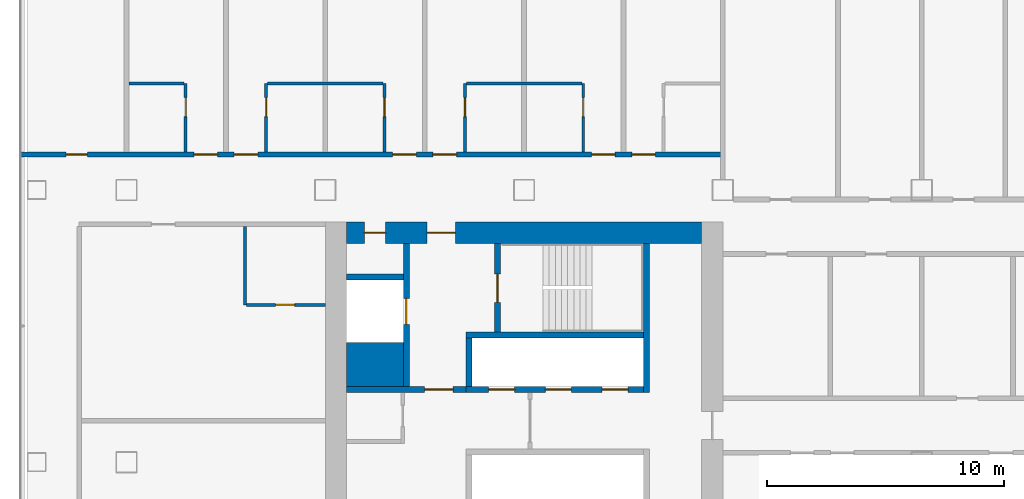
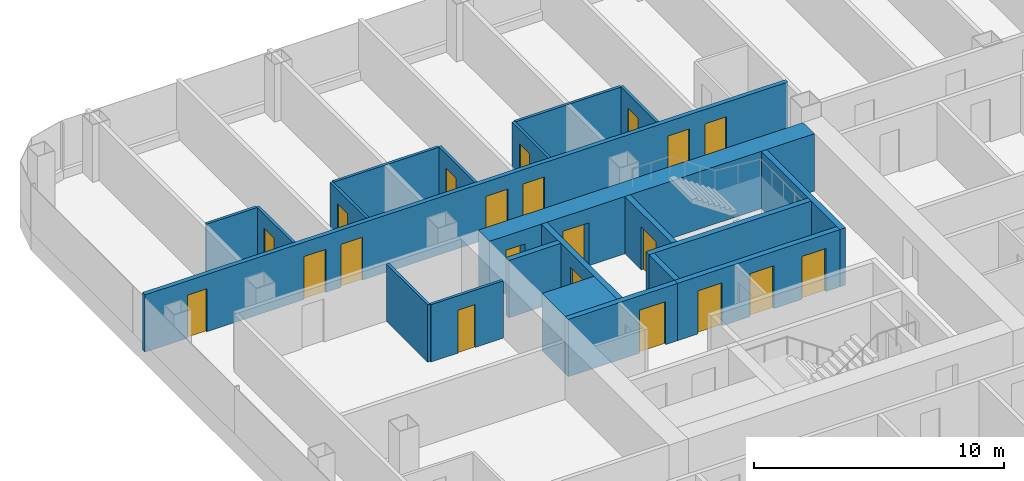
# One storey, part 16 of 29: 21 doors, 21 walls, 21 openings.
"""IFC4 building model written with IfcOpenShell, lengths in metres."""

import ifcopenshell
import ifcopenshell.guid

model = None  # the IFC model being written
_history = None  # IfcOwnerHistory: only IFC2X3 demands one
_inside = {}  # id of a spatial element -> (the spatial element, [elements in it])
_under = {}  # id of a project, library or spatial element -> (it, [spatial elements below it])
_declared = {}  # id of a project -> (the project, [libraries it declares])
_typed = {}  # id of a type object -> (the type object, [elements of that type])
_made_of = {}  # id of a material, layer set ... -> (it, [elements and type objects made of it])


def new_model(schema):
    """Start an empty IFC model of exactly this schema.

    Asked for "IFC4X3", IfcOpenShell would pick the latest addendum, in which some entities
    have other attributes; the version numbers below select the first issue.
    IFC2X3 requires an IfcOwnerHistory on every rooted entity: one is made here for all.
    """
    global model, _history
    if schema == "IFC4X3":
        model = ifcopenshell.file(schema_version=(4, 3, 0, 0))
    else:
        model = ifcopenshell.file(schema=schema)
    _inside.clear()
    _under.clear()
    _declared.clear()
    _typed.clear()
    _made_of.clear()
    _history = None
    if model.schema == "IFC2X3":
        org = make("IfcOrganization", Name="unknown")
        user = make(
            "IfcPersonAndOrganization",
            ThePerson=make("IfcPerson", FamilyName="unknown"),
            TheOrganization=org,
        )
        app = make(
            "IfcApplication",
            ApplicationDeveloper=org,
            Version="unknown",
            ApplicationFullName="unknown",
            ApplicationIdentifier="unknown",
        )
        _history = make(
            "IfcOwnerHistory",
            OwningUser=user,
            OwningApplication=app,
            ChangeAction="ADDED",
            CreationDate=0,
        )
    return model


def make(cls, **values):
    """One entity of the class cls with the attributes given. An attribute that is None is left unset."""
    return model.create_entity(
        cls, **{name: value for name, value in values.items() if value is not None}
    )


def rooted(cls, **values):
    """An entity with a GlobalId (a new one), such as an element, a storey or a relation."""
    return make(cls, GlobalId=ifcopenshell.guid.new(), OwnerHistory=_history, **values)


def si_unit(unit_type, name, prefix=None):
    """IfcSIUnit, for example si_unit("LENGTHUNIT", "METRE", prefix="MILLI")."""
    return make("IfcSIUnit", UnitType=unit_type, Prefix=prefix, Name=name)


def assignment(units):
    """IfcUnitAssignment: the units of a project."""
    return None if units is None else make("IfcUnitAssignment", Units=units)


def point(xyz):
    """IfcCartesianPoint."""
    return None if xyz is None else make("IfcCartesianPoint", Coordinates=xyz)


def direction(xyz):
    """IfcDirection."""
    return None if xyz is None else make("IfcDirection", DirectionRatios=xyz)


def frame(location, z_axis=None, x_axis=None):
    """IfcAxis2Placement3D, a coordinate frame: its origin and axes. An axis left out is left unset."""
    return make(
        "IfcAxis2Placement3D",
        Location=point(location),
        Axis=direction(z_axis),
        RefDirection=direction(x_axis),
    )


def frame_2d(location, x_axis=None):
    """IfcAxis2Placement2D, a coordinate frame in the plane: its origin and x axis."""
    return make(
        "IfcAxis2Placement2D", Location=point(location), RefDirection=direction(x_axis)
    )


def origin():
    """The frame at (0, 0, 0) with its axes left unset."""
    return frame((0.0, 0.0, 0.0))


def place(relative_to, where):
    """IfcLocalPlacement: puts the frame where relative to a parent placement (None: the world)."""
    return make(
        "IfcLocalPlacement", PlacementRelTo=relative_to, RelativePlacement=where
    )


def context(
    kind, dimensions, precision=None, world=None, true_north=None, identifier=None
):
    """IfcGeometricRepresentationContext, for example the 3D "Model" context."""
    return make(
        "IfcGeometricRepresentationContext",
        ContextIdentifier=identifier,
        ContextType=kind,
        CoordinateSpaceDimension=dimensions,
        Precision=precision,
        WorldCoordinateSystem=world,
        TrueNorth=true_north,
    )


def subcontext(parent, identifier, kind, view, scale=None):
    """IfcGeometricRepresentationSubContext, for example "Body" below "Model"."""
    return make(
        "IfcGeometricRepresentationSubContext",
        ContextIdentifier=identifier,
        ContextType=kind,
        ParentContext=parent,
        TargetScale=scale,
        TargetView=view,
    )


def project(units=None, contexts=None):
    """IfcProject with its units and contexts."""
    return rooted(
        "IfcProject",
        Name="project",
        RepresentationContexts=contexts,
        UnitsInContext=assignment(units),
    )


def spatial(cls, under=None, at=None, **own):
    """A site, building, storey or space (cls), placed at a placement, below another one or the project."""
    s = rooted(cls, ObjectPlacement=at, **own)
    if under is not None:
        _under.setdefault(under.id(), (under, []))[1].append(s)
    return s


def profile(cls, at=None, kind="AREA", **sizes):
    """A parametric profile (cls). Its sizes go by their IFC names, for example OverallWidth=200.0."""
    return make(cls, ProfileType=kind, Position=at, **sizes)


def rectangle(**sizes):
    """IfcRectangleProfileDef."""
    return profile("IfcRectangleProfileDef", **sizes)


def extrude(swept, where, along, depth):
    """IfcExtrudedAreaSolid: the profile swept, set in the frame where, extruded along a direction by depth."""
    return make(
        "IfcExtrudedAreaSolid",
        SweptArea=swept,
        Position=where,
        ExtrudedDirection=direction(along),
        Depth=depth,
    )


def shape(context_of_items, identifier, shape_type, items):
    """IfcShapeRepresentation: the items that make up one representation, for example the "Body"."""
    return make(
        "IfcShapeRepresentation",
        ContextOfItems=context_of_items,
        RepresentationIdentifier=identifier,
        RepresentationType=shape_type,
        Items=items,
    )


def material(Name=None, Category=None):
    """IfcMaterial."""
    return make("IfcMaterial", Name=Name, Category=Category)


def layer(
    of_material, thickness, ventilated=None, Name=None, Category=None, Priority=None
):
    """IfcMaterialLayer: one layer of a wall or slab, of a material (None: an air gap)."""
    return make(
        "IfcMaterialLayer",
        Material=of_material,
        LayerThickness=thickness,
        IsVentilated=ventilated,
        Name=Name,
        Category=Category,
        Priority=Priority,
    )


def layer_set(layers, Name=None):
    """IfcMaterialLayerSet."""
    return make("IfcMaterialLayerSet", MaterialLayers=layers, LayerSetName=Name)


def made_of(thing, what):
    """Note that an element or type object is made of a material, layer set ...; save() writes the relation."""
    if what is not None:
        _made_of.setdefault(what.id(), (what, []))[1].append(thing)
    return thing


def type_object(cls, material=None, **own):
    """A type object (cls), such as IfcWallType, which elements share."""
    return made_of(rooted(cls, **own), material)


def element(
    cls,
    number,
    at=None,
    inside=None,
    cuts=None,
    type_object=None,
    material=None,
    context=None,
    identifier="Body",
    shape_type=None,
    held_by="IfcProductDefinitionShape",
    body=None,
    shapes=None,
    **own,
):
    """One element of the class cls, such as IfcWall. Its Tag is "e" and its number.

    at: its placement. inside: the storey or other place that contains it. cuts: it is an
    opening in that element (IfcRelVoidsElement). A single representation is given by context,
    identifier, shape_type and body (its items); several are given by shapes. held_by: the class
    of the entity that holds the representations. save() writes the other relations.
    """
    e = rooted(cls, Tag="e%d" % number, ObjectPlacement=at, **own)
    if body is not None:
        shapes = [shape(context, identifier, shape_type, body)]
    if shapes is not None:
        e.Representation = make(held_by, Representations=shapes)
    if inside is not None:
        _inside.setdefault(inside.id(), (inside, []))[1].append(e)
    if cuts is not None:
        rooted(
            "IfcRelVoidsElement", RelatingBuildingElement=cuts, RelatedOpeningElement=e
        )
    if type_object is not None:
        _typed.setdefault(type_object.id(), (type_object, []))[1].append(e)
    return made_of(e, material)


def fill(opening, filler):
    """IfcRelFillsElement: the door or window that sits in an opening."""
    return rooted(
        "IfcRelFillsElement",
        RelatingOpeningElement=opening,
        RelatedBuildingElement=filler,
    )


def aggregate(whole, parts):
    """IfcRelAggregates: a whole, such as a stair, and the parts it consists of."""
    return rooted("IfcRelAggregates", RelatingObject=whole, RelatedObjects=parts)


def save(model, path):
    """Write the relations noted so far, then the file.

    IfcRelAggregates (storeys below a building ...), IfcRelContainedInSpatialStructure (elements
    in a storey), IfcRelDefinesByType, IfcRelAssociatesMaterial and IfcRelDeclares: one each for
    every whole, place, type object, material and project.
    """
    for whole, parts in _under.values():
        aggregate(whole, parts)
    for where, things in _inside.values():
        rooted(
            "IfcRelContainedInSpatialStructure",
            RelatedElements=things,
            RelatingStructure=where,
        )
    for kind, things in _typed.values():
        rooted("IfcRelDefinesByType", RelatedObjects=things, RelatingType=kind)
    for what, things in _made_of.values():
        rooted("IfcRelAssociatesMaterial", RelatedObjects=things, RelatingMaterial=what)
    for by, libraries in _declared.values():
        rooted("IfcRelDeclares", RelatingContext=by, RelatedDefinitions=libraries)
    model.write(path)


model = new_model("IFC4")

# Units and contexts
model_context = context("Model", 3, precision=1e-05, world=origin(), true_north=direction((0.0, 1.0)))
body_context = subcontext(model_context, "Body", "Model", "MODEL_VIEW")
ifc_project = project(units=[si_unit("LENGTHUNIT", "METRE"), si_unit("AREAUNIT", "SQUARE_METRE"), si_unit("VOLUMEUNIT", "CUBIC_METRE"), si_unit("PLANEANGLEUNIT", "RADIAN"), si_unit("MASSUNIT", "GRAM", prefix="KILO")], contexts=[model_context])

# Site, building, storey
site_placement = place(None, origin())
site = spatial("IfcSite", under=ifc_project, at=site_placement, CompositionType="ELEMENT")
building_placement = place(site_placement, origin())
building = spatial("IfcBuilding", under=site, at=building_placement, Name="Hakoniwa Tower and Hamabe Station Hall", CompositionType="ELEMENT")
storey_placement = place(building_placement, frame((0.0, 0.0, 110.60009765625)))
storey = spatial("IfcBuildingStorey", under=building, at=storey_placement, Name="L31", CompositionType="ELEMENT", Elevation=110.60009765625)

# Wall, opening, door
ifc_material_1 = material(Name="Gypsum board partition", Category="gypsum")
ifc_layer_1 = layer(ifc_material_1, 0.125)
ifc_layer_set_1 = layer_set([ifc_layer_1], Name="Bathroom Partition 125")
wall_type_1 = type_object("IfcWallType", Name="Bathroom Partition 125", PredefinedType="PARTITIONING", material=ifc_layer_set_1)
wall_1_placement = place(storey_placement, frame((-36.9375, 4.89990234375, 0.0), z_axis=(0.0, 0.0, 1.0), x_axis=(1.0, 0.0, 0.0)))
wall_1 = element("IfcWall", 1, at=wall_1_placement, inside=storey, type_object=wall_type_1, Name="GW-L31-016", PredefinedType="PARTITIONING", context=body_context, shape_type="SweptSolid", body=[
    extrude(rectangle(XDim=3.33740234375, YDim=0.125, at=frame_2d((1.668701171875, 0.0))), origin(), (0.0, 0.0, 1.0), 2.7998046875),
])
opening_1_placement = place(wall_1_placement, frame((1.237548828125, 0.0, 0.0)))
opening_1 = element("IfcOpeningElement", 2, at=opening_1_placement, cuts=wall_1, Name="Opening GD-G2B2-30", PredefinedType="OPENING", context=body_context, shape_type="SweptSolid", body=[
    extrude(rectangle(XDim=0.800048828125, YDim=2.10009765625, at=frame_2d((0.39990234375, 1.050048828125))), frame((0.0, 0.072509765625, 0.0), z_axis=(0.0, -1.0, 0.0), x_axis=(1.0, 0.0, 0.0)), (0.0, 0.0, 1.0), 0.14501953125),
])
ifc_material_2 = material(Name="Timber door leaf", Category="wood")
door_type_1 = type_object("IfcDoorType", Name="Bathroom Door 800", OperationType="SINGLE_SWING_LEFT", PredefinedType="DOOR", material=ifc_material_2)
door_1_placement = place(opening_1_placement, origin())
door_1 = element("IfcDoor", 3, at=door_1_placement, inside=storey, type_object=door_type_1, Name="Door GD-G2B2-30", OperationType="SINGLE_SWING_RIGHT", OverallHeight=2.10009765625, OverallWidth=0.800048828125, PredefinedType="DOOR", context=body_context, shape_type="SweptSolid", body=[
    extrude(rectangle(XDim=0.800048828125, YDim=2.10009765625, at=frame_2d((0.39990234375, 1.050048828125))), frame((0.0, 0.02490234375, 0.0), z_axis=(0.0, -1.0, 0.0), x_axis=(1.0, 0.0, 0.0)), (0.0, 0.0, 1.0), 0.050048828125),
])
fill(opening_1, door_1)

# Walls
wall_2_placement = place(storey_placement, frame((-41.89990234375, 14.25, 0.0), z_axis=(0.0, 0.0, 1.0), x_axis=(1.0, 0.0, 0.0)))
element("IfcWall", 4, at=wall_2_placement, inside=storey, type_object=wall_type_1, Name="GW-L31-027", PredefinedType="PARTITIONING", context=body_context, shape_type="SweptSolid", body=[
    extrude(rectangle(XDim=2.33740234375, YDim=0.125, at=frame_2d((1.168701171875, 0.0))), origin(), (0.0, 0.0, 1.0), 2.7998046875),
])
for number, where, z_axis, x_axis, name in (
    (5, (-36.03759765625, 14.25, 0.0), (0.0, 0.0, 1.0), (1.0, 0.0, 0.0), "GW-L31-028"),
    (6, (-27.637451171875, 14.25, 0.0), (0.0, 0.0, 1.0), (1.0, 0.0, 0.0), "GW-L31-029"),
):
    element("IfcWall", number, at=place(storey_placement, frame(where, z_axis=z_axis, x_axis=x_axis)), inside=storey, type_object=wall_type_1, Name=name, PredefinedType="PARTITIONING", context=body_context, shape_type="SweptSolid", body=[
        extrude(rectangle(XDim=4.875, YDim=0.125, at=frame_2d((2.4375, 0.0))), origin(), (0.0, 0.0, 1.0), 2.7998046875),
    ])

# Wall, opening, door
wall_3_placement = place(storey_placement, frame((-39.5, 11.35009765625, 0.0), z_axis=(0.0, 0.0, 1.0), x_axis=(0.0, 1.0, 0.0)))
wall_3 = element("IfcWall", 7, at=wall_3_placement, inside=storey, type_object=wall_type_1, Name="GW-L31-035", PredefinedType="PARTITIONING", context=body_context, shape_type="SweptSolid", body=[
    extrude(rectangle(XDim=2.89990234375, YDim=0.125, at=frame_2d((1.449951171875, 0.0))), origin(), (0.0, 0.0, 1.0), 2.7998046875),
])
opening_2_placement = place(wall_3_placement, frame((1.5, 0.0, 0.0)))
opening_2 = element("IfcOpeningElement", 8, at=opening_2_placement, cuts=wall_3, Name="Opening GD-G2B2-57", PredefinedType="OPENING", context=body_context, shape_type="SweptSolid", body=[
    extrude(rectangle(XDim=0.800048828125, YDim=2.10009765625, at=frame_2d((0.39990234375, 1.050048828125))), frame((0.0, 0.072509765625, 0.0), z_axis=(0.0, -1.0, 0.0), x_axis=(1.0, 0.0, 0.0)), (0.0, 0.0, 1.0), 0.14501953125),
])
door_2_placement = place(opening_2_placement, origin())
door_2 = element("IfcDoor", 9, at=door_2_placement, inside=storey, type_object=door_type_1, Name="Door GD-G2B2-57", OperationType="SINGLE_SWING_LEFT", OverallHeight=2.10009765625, OverallWidth=0.800048828125, PredefinedType="DOOR", context=body_context, shape_type="SweptSolid", body=[
    extrude(rectangle(XDim=0.800048828125, YDim=2.10009765625, at=frame_2d((0.39990234375, 1.050048828125))), frame((0.0, 0.02490234375, 0.0), z_axis=(0.0, -1.0, 0.0), x_axis=(1.0, 0.0, 0.0)), (0.0, 0.0, 1.0), 0.050048828125),
])
fill(opening_2, door_2)

# Wall
wall_4_placement = place(storey_placement, frame((-37.0, 4.89990234375, 0.0), z_axis=(0.0, 0.0, 1.0), x_axis=(0.0, 1.0, 0.0)))
element("IfcWall", 10, at=wall_4_placement, inside=storey, type_object=wall_type_1, Name="GW-L31-037", PredefinedType="PARTITIONING", context=body_context, shape_type="SweptSolid", body=[
    extrude(rectangle(XDim=3.300048828125, YDim=0.125, at=frame_2d((1.64990234375, 0.0))), origin(), (0.0, 0.0, 1.0), 2.7998046875),
])

# Wall, opening, door
wall_5_placement = place(storey_placement, frame((-36.10009765625, 11.35009765625, 0.0), z_axis=(0.0, 0.0, 1.0), x_axis=(0.0, 1.0, 0.0)))
wall_5 = element("IfcWall", 11, at=wall_5_placement, inside=storey, type_object=wall_type_1, Name="GW-L31-038", PredefinedType="PARTITIONING", context=body_context, shape_type="SweptSolid", body=[
    extrude(rectangle(XDim=2.89990234375, YDim=0.125, at=frame_2d((1.449951171875, 0.0))), origin(), (0.0, 0.0, 1.0), 2.7998046875),
])
opening_3_placement = place(wall_5_placement, frame((1.5, 0.0, 0.0)))
opening_3 = element("IfcOpeningElement", 12, at=opening_3_placement, cuts=wall_5, Name="Opening GD-G2B2-58", PredefinedType="OPENING", context=body_context, shape_type="SweptSolid", body=[
    extrude(rectangle(XDim=0.800048828125, YDim=2.10009765625, at=frame_2d((0.39990234375, 1.050048828125))), frame((0.0, 0.072509765625, 0.0), z_axis=(0.0, -1.0, 0.0), x_axis=(1.0, 0.0, 0.0)), (0.0, 0.0, 1.0), 0.14501953125),
])
door_3_placement = place(opening_3_placement, origin())
door_3 = element("IfcDoor", 13, at=door_3_placement, inside=storey, type_object=door_type_1, Name="Door GD-G2B2-58", OperationType="SINGLE_SWING_RIGHT", OverallHeight=2.10009765625, OverallWidth=0.800048828125, PredefinedType="DOOR", context=body_context, shape_type="SweptSolid", body=[
    extrude(rectangle(XDim=0.800048828125, YDim=2.10009765625, at=frame_2d((0.39990234375, 1.050048828125))), frame((0.0, 0.02490234375, 0.0), z_axis=(0.0, -1.0, 0.0), x_axis=(1.0, 0.0, 0.0)), (0.0, 0.0, 1.0), 0.050048828125),
])
fill(opening_3, door_3)

wall_6_placement = place(storey_placement, frame((-31.10009765625, 11.35009765625, 0.0), z_axis=(0.0, 0.0, 1.0), x_axis=(0.0, 1.0, 0.0)))
wall_6 = element("IfcWall", 14, at=wall_6_placement, inside=storey, type_object=wall_type_1, Name="GW-L31-041", PredefinedType="PARTITIONING", context=body_context, shape_type="SweptSolid", body=[
    extrude(rectangle(XDim=2.89990234375, YDim=0.125, at=frame_2d((1.449951171875, 0.0))), origin(), (0.0, 0.0, 1.0), 2.7998046875),
])
opening_4_placement = place(wall_6_placement, frame((1.5, 0.0, 0.0)))
opening_4 = element("IfcOpeningElement", 15, at=opening_4_placement, cuts=wall_6, Name="Opening GD-G2B2-59", PredefinedType="OPENING", context=body_context, shape_type="SweptSolid", body=[
    extrude(rectangle(XDim=0.800048828125, YDim=2.10009765625, at=frame_2d((0.39990234375, 1.050048828125))), frame((0.0, 0.072509765625, 0.0), z_axis=(0.0, -1.0, 0.0), x_axis=(1.0, 0.0, 0.0)), (0.0, 0.0, 1.0), 0.14501953125),
])
door_4_placement = place(opening_4_placement, origin())
door_4 = element("IfcDoor", 16, at=door_4_placement, inside=storey, type_object=door_type_1, Name="Door GD-G2B2-59", OperationType="SINGLE_SWING_LEFT", OverallHeight=2.10009765625, OverallWidth=0.800048828125, PredefinedType="DOOR", context=body_context, shape_type="SweptSolid", body=[
    extrude(rectangle(XDim=0.800048828125, YDim=2.10009765625, at=frame_2d((0.39990234375, 1.050048828125))), frame((0.0, 0.02490234375, 0.0), z_axis=(0.0, -1.0, 0.0), x_axis=(1.0, 0.0, 0.0)), (0.0, 0.0, 1.0), 0.050048828125),
])
fill(opening_4, door_4)

wall_7_placement = place(storey_placement, frame((-27.699951171875, 11.35009765625, 0.0), z_axis=(0.0, 0.0, 1.0), x_axis=(0.0, 1.0, 0.0)))
wall_7 = element("IfcWall", 17, at=wall_7_placement, inside=storey, type_object=wall_type_1, Name="GW-L31-044", PredefinedType="PARTITIONING", context=body_context, shape_type="SweptSolid", body=[
    extrude(rectangle(XDim=2.89990234375, YDim=0.125, at=frame_2d((1.449951171875, 0.0))), origin(), (0.0, 0.0, 1.0), 2.7998046875),
])
opening_5_placement = place(wall_7_placement, frame((1.5, 0.0, 0.0)))
opening_5 = element("IfcOpeningElement", 18, at=opening_5_placement, cuts=wall_7, Name="Opening GD-G2B2-60", PredefinedType="OPENING", context=body_context, shape_type="SweptSolid", body=[
    extrude(rectangle(XDim=0.800048828125, YDim=2.10009765625, at=frame_2d((0.39990234375, 1.050048828125))), frame((0.0, 0.072509765625, 0.0), z_axis=(0.0, -1.0, 0.0), x_axis=(1.0, 0.0, 0.0)), (0.0, 0.0, 1.0), 0.14501953125),
])
door_5_placement = place(opening_5_placement, origin())
door_5 = element("IfcDoor", 19, at=door_5_placement, inside=storey, type_object=door_type_1, Name="Door GD-G2B2-60", OperationType="SINGLE_SWING_RIGHT", OverallHeight=2.10009765625, OverallWidth=0.800048828125, PredefinedType="DOOR", context=body_context, shape_type="SweptSolid", body=[
    extrude(rectangle(XDim=0.800048828125, YDim=2.10009765625, at=frame_2d((0.39990234375, 1.050048828125))), frame((0.0, 0.02490234375, 0.0), z_axis=(0.0, -1.0, 0.0), x_axis=(1.0, 0.0, 0.0)), (0.0, 0.0, 1.0), 0.050048828125),
])
fill(opening_5, door_5)

wall_8_placement = place(storey_placement, frame((-22.699951171875, 11.35009765625, 0.0), z_axis=(0.0, 0.0, 1.0), x_axis=(0.0, 1.0, 0.0)))
wall_8 = element("IfcWall", 20, at=wall_8_placement, inside=storey, type_object=wall_type_1, Name="GW-L31-047", PredefinedType="PARTITIONING", context=body_context, shape_type="SweptSolid", body=[
    extrude(rectangle(XDim=2.89990234375, YDim=0.125, at=frame_2d((1.449951171875, 0.0))), origin(), (0.0, 0.0, 1.0), 2.7998046875),
])
opening_6_placement = place(wall_8_placement, frame((1.5, 0.0, 0.0)))
opening_6 = element("IfcOpeningElement", 21, at=opening_6_placement, cuts=wall_8, Name="Opening GD-G2B2-61", PredefinedType="OPENING", context=body_context, shape_type="SweptSolid", body=[
    extrude(rectangle(XDim=0.800048828125, YDim=2.10009765625, at=frame_2d((0.39990234375, 1.050048828125))), frame((0.0, 0.072509765625, 0.0), z_axis=(0.0, -1.0, 0.0), x_axis=(1.0, 0.0, 0.0)), (0.0, 0.0, 1.0), 0.14501953125),
])
door_6_placement = place(opening_6_placement, origin())
door_6 = element("IfcDoor", 22, at=door_6_placement, inside=storey, type_object=door_type_1, Name="Door GD-G2B2-61", OperationType="SINGLE_SWING_LEFT", OverallHeight=2.10009765625, OverallWidth=0.800048828125, PredefinedType="DOOR", context=body_context, shape_type="SweptSolid", body=[
    extrude(rectangle(XDim=0.800048828125, YDim=2.10009765625, at=frame_2d((0.39990234375, 1.050048828125))), frame((0.0, 0.02490234375, 0.0), z_axis=(0.0, -1.0, 0.0), x_axis=(1.0, 0.0, 0.0)), (0.0, 0.0, 1.0), 0.050048828125),
])
fill(opening_6, door_6)

# Wall, openings, doors
ifc_material_3 = material(Name="Concrete C72", Category="concrete")
ifc_layer_2 = layer(ifc_material_3, 0.89990234375)
ifc_layer_set_2 = layer_set([ifc_layer_2], Name="CORE WALL 900 C72")
wall_type_2 = type_object("IfcWallType", Name="CORE WALL 900 C72", PredefinedType="SHEAR", material=ifc_layer_set_2)
wall_9_placement = place(storey_placement, frame((-32.699951171875, 7.949951171875, 0.0), z_axis=(0.0, 0.0, 1.0), x_axis=(1.0, 0.0, 0.0)))
wall_9 = element("IfcWall", 23, at=wall_9_placement, inside=storey, type_object=wall_type_2, Name="Core wall NORTH west", PredefinedType="SHEAR", context=body_context, shape_type="SweptSolid", body=[
    extrude(rectangle(XDim=15.0, YDim=0.89990234375, at=frame_2d((7.5, 0.0))), origin(), (0.0, 0.0, 1.0), 2.7998046875),
])
opening_7_placement = place(wall_9_placement, frame((3.39990234375, 0.0, 0.0)))
opening_7 = element("IfcOpeningElement", 24, at=opening_7_placement, cuts=wall_9, Name="Opening CD-W-FN1-12", PredefinedType="OPENING", context=body_context, shape_type="SweptSolid", body=[
    extrude(rectangle(XDim=1.199951171875, YDim=2.10009765625, at=frame_2d((0.60009765625, 1.050048828125))), frame((0.0, 0.4599609375, 0.0), z_axis=(0.0, -1.0, 0.0), x_axis=(1.0, 0.0, 0.0)), (0.0, 0.0, 1.0), 0.919921875),
])
opening_8_placement = place(wall_9_placement, frame((0.75, 0.0, 0.0)))
opening_8 = element("IfcOpeningElement", 25, at=opening_8_placement, cuts=wall_9, Name="Opening CD-W-FN2-9", PredefinedType="OPENING", context=body_context, shape_type="SweptSolid", body=[
    extrude(rectangle(XDim=0.89990234375, YDim=2.10009765625, at=frame_2d((0.449951171875, 1.050048828125))), frame((0.0, 0.4599609375, 0.0), z_axis=(0.0, -1.0, 0.0), x_axis=(1.0, 0.0, 0.0)), (0.0, 0.0, 1.0), 0.919921875),
])
ifc_material_4 = material(Name="Steel fire door", Category="steel")
door_type_2 = type_object("IfcDoorType", Name="CORE DOOR 1200 FD60", OperationType="DOUBLE_DOOR_SINGLE_SWING", PredefinedType="DOOR", material=ifc_material_4)
door_7_placement = place(opening_7_placement, origin())
door_7 = element("IfcDoor", 26, at=door_7_placement, inside=storey, type_object=door_type_2, Name="Stair vestibule door to the fire-fighting lobby", OperationType="DOUBLE_DOOR_SINGLE_SWING", OverallHeight=2.10009765625, OverallWidth=1.199951171875, PredefinedType="DOOR", context=body_context, shape_type="SweptSolid", body=[
    extrude(rectangle(XDim=1.199951171875, YDim=2.10009765625, at=frame_2d((0.60009765625, 1.050048828125))), frame((0.0, 0.02490234375, 0.0), z_axis=(0.0, -1.0, 0.0), x_axis=(1.0, 0.0, 0.0)), (0.0, 0.0, 1.0), 0.050048828125),
])
fill(opening_7, door_7)
ifc_material_5 = material(Name="Steel fire door", Category="steel")
door_type_3 = type_object("IfcDoorType", Name="CORE DOOR 900 FD30", OperationType="NOTDEFINED", PredefinedType="DOOR", material=ifc_material_5)
door_8_placement = place(opening_8_placement, origin())
door_8 = element("IfcDoor", 27, at=door_8_placement, inside=storey, type_object=door_type_3, Name="Riser access door", OperationType="SINGLE_SWING_RIGHT", OverallHeight=2.10009765625, OverallWidth=0.89990234375, PredefinedType="DOOR", context=body_context, shape_type="SweptSolid", body=[
    extrude(rectangle(XDim=0.89990234375, YDim=2.10009765625, at=frame_2d((0.449951171875, 1.050048828125))), frame((0.0, 0.02490234375, 0.0), z_axis=(0.0, -1.0, 0.0), x_axis=(1.0, 0.0, 0.0)), (0.0, 0.0, 1.0), 0.050048828125),
])
fill(opening_8, door_8)

# Walls
ifc_material_6 = material(Name="Concrete C72", Category="concrete")
ifc_layer_3 = layer(ifc_material_6, 1.85009765625)
ifc_layer_set_3 = layer_set([ifc_layer_3], Name="CORE WEB WALL 1850 C72")
wall_type_3 = type_object("IfcWallType", Name="CORE WEB WALL 1850 C72", PredefinedType="SHEAR", material=ifc_layer_set_3)
wall_10_placement = place(storey_placement, frame((-32.699951171875, 2.375, 0.0), z_axis=(0.0, 0.0, 1.0), x_axis=(1.0, 0.0, 0.0)))
element("IfcWall", 28, at=wall_10_placement, inside=storey, type_object=wall_type_3, Name="Core wall CA west", PredefinedType="SHEAR", context=body_context, shape_type="SweptSolid", body=[
    extrude(rectangle(XDim=2.39990234375, YDim=1.85009765625, at=frame_2d((1.199951171875, 0.0))), origin(), (0.0, 0.0, 1.0), 2.7998046875),
])
ifc_material_7 = material(Name="Concrete C72", Category="concrete")
ifc_layer_4 = layer(ifc_material_7, 0.25)
ifc_layer_set_4 = layer_set([ifc_layer_4], Name="CORE WEB WALL 250 C72")
wall_type_4 = type_object("IfcWallType", Name="CORE WEB WALL 250 C72", PredefinedType="SHEAR", material=ifc_layer_set_4)
wall_11_placement = place(storey_placement, frame((-20.02490234375, 1.199951171875, 0.0), z_axis=(0.0, 0.0, 1.0), x_axis=(0.0, 1.0, 0.0)))
element("IfcWall", 29, at=wall_11_placement, inside=storey, type_object=wall_type_4, Name="Core wall W1N west", PredefinedType="SHEAR", context=body_context, shape_type="SweptSolid", body=[
    extrude(rectangle(XDim=6.300048828125, YDim=0.25, at=frame_2d((3.14990234375, 0.0))), origin(), (0.0, 0.0, 1.0), 2.7998046875),
])

# Wall, openings, doors
wall_12_placement = place(storey_placement, frame((-27.64990234375, 1.324951171875, 0.0), z_axis=(0.0, 0.0, 1.0), x_axis=(1.0, 0.0, 0.0)))
wall_12 = element("IfcWall", 30, at=wall_12_placement, inside=storey, type_object=wall_type_4, Name="Core wall NF west", PredefinedType="SHEAR", context=body_context, shape_type="SweptSolid", body=[
    extrude(rectangle(XDim=7.5, YDim=0.25, at=frame_2d((3.75, 0.0))), origin(), (0.0, 0.0, 1.0), 2.7998046875),
])
opening_9_placement = place(wall_12_placement, frame((5.75, 0.0, 0.0)))
opening_9 = element("IfcOpeningElement", 31, at=opening_9_placement, cuts=wall_12, Name="Opening LD-LR1", PredefinedType="OPENING", context=body_context, shape_type="SweptSolid", body=[
    extrude(rectangle(XDim=1.10009765625, YDim=2.10009765625, at=frame_2d((0.550048828125, 1.050048828125))), frame((0.0, 0.135009765625, 0.0), z_axis=(0.0, -1.0, 0.0), x_axis=(1.0, 0.0, 0.0)), (0.0, 0.0, 1.0), 0.27001953125),
])
opening_10_placement = place(wall_12_placement, frame((3.35009765625, 0.0, 0.0)))
opening_10 = element("IfcOpeningElement", 32, at=opening_10_placement, cuts=wall_12, Name="Opening LD-LR2", PredefinedType="OPENING", context=body_context, shape_type="SweptSolid", body=[
    extrude(rectangle(XDim=1.10009765625, YDim=2.10009765625, at=frame_2d((0.550048828125, 1.050048828125))), frame((0.0, 0.135009765625, 0.0), z_axis=(0.0, -1.0, 0.0), x_axis=(1.0, 0.0, 0.0)), (0.0, 0.0, 1.0), 0.27001953125),
])
opening_11_placement = place(wall_12_placement, frame((0.949951171875, 0.0, 0.0)))
opening_11 = element("IfcOpeningElement", 33, at=opening_11_placement, cuts=wall_12, Name="Opening LD-LR3", PredefinedType="OPENING", context=body_context, shape_type="SweptSolid", body=[
    extrude(rectangle(XDim=1.10009765625, YDim=2.10009765625, at=frame_2d((0.550048828125, 1.050048828125))), frame((0.0, 0.135009765625, 0.0), z_axis=(0.0, -1.0, 0.0), x_axis=(1.0, 0.0, 0.0)), (0.0, 0.0, 1.0), 0.27001953125),
])
ifc_material_8 = material(Name="Stainless steel SUS304", Category="steel")
door_type_4 = type_object("IfcDoorType", Name="LIFT LANDING DOOR 1100 FD60", OperationType="DOUBLE_DOOR_SLIDING", PredefinedType="DOOR", material=ifc_material_8)
door_9_placement = place(opening_9_placement, origin())
door_9 = element("IfcDoor", 34, at=door_9_placement, inside=storey, type_object=door_type_4, Name="Lift landing door LR1 L31", OperationType="DOUBLE_DOOR_SLIDING", OverallHeight=2.10009765625, OverallWidth=1.10009765625, PredefinedType="DOOR", context=body_context, shape_type="SweptSolid", body=[
    extrude(rectangle(XDim=1.10009765625, YDim=2.10009765625, at=frame_2d((0.550048828125, 1.050048828125))), frame((0.0, 0.02490234375, 0.0), z_axis=(0.0, -1.0, 0.0), x_axis=(1.0, 0.0, 0.0)), (0.0, 0.0, 1.0), 0.050048828125),
])
fill(opening_9, door_9)
door_10_placement = place(opening_10_placement, origin())
door_10 = element("IfcDoor", 35, at=door_10_placement, inside=storey, type_object=door_type_4, Name="Lift landing door LR2 L31", OperationType="DOUBLE_DOOR_SLIDING", OverallHeight=2.10009765625, OverallWidth=1.10009765625, PredefinedType="DOOR", context=body_context, shape_type="SweptSolid", body=[
    extrude(rectangle(XDim=1.10009765625, YDim=2.10009765625, at=frame_2d((0.550048828125, 1.050048828125))), frame((0.0, 0.02490234375, 0.0), z_axis=(0.0, -1.0, 0.0), x_axis=(1.0, 0.0, 0.0)), (0.0, 0.0, 1.0), 0.050048828125),
])
fill(opening_10, door_10)
door_11_placement = place(opening_11_placement, origin())
door_11 = element("IfcDoor", 36, at=door_11_placement, inside=storey, type_object=door_type_4, Name="Lift landing door LR3 L31", OperationType="DOUBLE_DOOR_SLIDING", OverallHeight=2.10009765625, OverallWidth=1.10009765625, PredefinedType="DOOR", context=body_context, shape_type="SweptSolid", body=[
    extrude(rectangle(XDim=1.10009765625, YDim=2.10009765625, at=frame_2d((0.550048828125, 1.050048828125))), frame((0.0, 0.02490234375, 0.0), z_axis=(0.0, -1.0, 0.0), x_axis=(1.0, 0.0, 0.0)), (0.0, 0.0, 1.0), 0.050048828125),
])
fill(opening_11, door_11)

# Walls
wall_13_placement = place(storey_placement, frame((-27.52490234375, 1.449951171875, 0.0), z_axis=(0.0, 0.0, 1.0), x_axis=(0.0, 1.0, 0.0)))
element("IfcWall", 37, at=wall_13_placement, inside=storey, type_object=wall_type_4, Name="Core wall NE west", PredefinedType="SHEAR", context=body_context, shape_type="SweptSolid", body=[
    extrude(rectangle(XDim=2.050048828125, YDim=0.25, at=frame_2d((1.02490234375, 0.0))), origin(), (0.0, 0.0, 1.0), 2.7998046875),
])
wall_14_placement = place(storey_placement, frame((-27.64990234375, 3.625, 0.0), z_axis=(0.0, 0.0, 1.0), x_axis=(1.0, 0.0, 0.0)))
element("IfcWall", 38, at=wall_14_placement, inside=storey, type_object=wall_type_4, Name="Core wall NR west", PredefinedType="SHEAR", context=body_context, shape_type="SweptSolid", body=[
    extrude(rectangle(XDim=7.5, YDim=0.25, at=frame_2d((3.75, 0.0))), origin(), (0.0, 0.0, 1.0), 2.7998046875),
])

# Wall, opening, door
wall_15_placement = place(storey_placement, frame((-26.324951171875, 3.75, 0.0), z_axis=(0.0, 0.0, 1.0), x_axis=(0.0, 1.0, 0.0)))
wall_15 = element("IfcWall", 39, at=wall_15_placement, inside=storey, type_object=wall_type_4, Name="Core wall NSE west", PredefinedType="SHEAR", context=body_context, shape_type="SweptSolid", body=[
    extrude(rectangle(XDim=3.75, YDim=0.25, at=frame_2d((1.875, 0.0))), origin(), (0.0, 0.0, 1.0), 2.7998046875),
])
opening_12_placement = place(wall_15_placement, frame((1.25, 0.0, 0.0)))
opening_12 = element("IfcOpeningElement", 40, at=opening_12_placement, cuts=wall_15, Name="Opening CD-W-SN-12", PredefinedType="OPENING", context=body_context, shape_type="SweptSolid", body=[
    extrude(rectangle(XDim=1.199951171875, YDim=2.10009765625, at=frame_2d((0.60009765625, 1.050048828125))), frame((0.0, 0.135009765625, 0.0), z_axis=(0.0, -1.0, 0.0), x_axis=(1.0, 0.0, 0.0)), (0.0, 0.0, 1.0), 0.27001953125),
])
door_12_placement = place(opening_12_placement, origin())
door_12 = element("IfcDoor", 41, at=door_12_placement, inside=storey, type_object=door_type_2, Name="Escape stair door", OperationType="DOUBLE_DOOR_SINGLE_SWING", OverallHeight=2.10009765625, OverallWidth=1.199951171875, PredefinedType="DOOR", context=body_context, shape_type="SweptSolid", body=[
    extrude(rectangle(XDim=1.199951171875, YDim=2.10009765625, at=frame_2d((0.60009765625, 1.050048828125))), frame((0.0, 0.02490234375, 0.0), z_axis=(0.0, -1.0, 0.0), x_axis=(1.0, 0.0, 0.0)), (0.0, 0.0, 1.0), 0.050048828125),
])
fill(opening_12, door_12)

wall_16_placement = place(storey_placement, frame((-32.699951171875, 1.324951171875, 0.0), z_axis=(0.0, 0.0, 1.0), x_axis=(1.0, 0.0, 0.0)))
wall_16 = element("IfcWall", 42, at=wall_16_placement, inside=storey, type_object=wall_type_4, Name="Core wall ELN west", PredefinedType="SHEAR", context=body_context, shape_type="SweptSolid", body=[
    extrude(rectangle(XDim=5.050048828125, YDim=0.25, at=frame_2d((2.52490234375, 0.0))), origin(), (0.0, 0.0, 1.0), 2.7998046875),
])
opening_13_placement = place(wall_16_placement, frame((3.300048828125, 0.0, 0.0)))
opening_13 = element("IfcOpeningElement", 43, at=opening_13_placement, cuts=wall_16, Name="Opening CD-W-FL-12", PredefinedType="OPENING", context=body_context, shape_type="SweptSolid", body=[
    extrude(rectangle(XDim=1.199951171875, YDim=2.10009765625, at=frame_2d((0.60009765625, 1.050048828125))), frame((0.0, 0.135009765625, 0.0), z_axis=(0.0, -1.0, 0.0), x_axis=(1.0, 0.0, 0.0)), (0.0, 0.0, 1.0), 0.27001953125),
])
door_13_placement = place(opening_13_placement, origin())
door_13 = element("IfcDoor", 44, at=door_13_placement, inside=storey, type_object=door_type_2, Name="Stair vestibule door to the fire-fighting lobby", OperationType="DOUBLE_DOOR_SINGLE_SWING", OverallHeight=2.10009765625, OverallWidth=1.199951171875, PredefinedType="DOOR", context=body_context, shape_type="SweptSolid", body=[
    extrude(rectangle(XDim=1.199951171875, YDim=2.10009765625, at=frame_2d((0.60009765625, 1.050048828125))), frame((0.0, 0.02490234375, 0.0), z_axis=(0.0, -1.0, 0.0), x_axis=(1.0, 0.0, 0.0)), (0.0, 0.0, 1.0), 0.050048828125),
])
fill(opening_13, door_13)

wall_17_placement = place(storey_placement, frame((-30.175048828125, 1.449951171875, 0.0), z_axis=(0.0, 0.0, 1.0), x_axis=(0.0, 1.0, 0.0)))
wall_17 = element("IfcWall", 45, at=wall_17_placement, inside=storey, type_object=wall_type_4, Name="Core wall FFF west", PredefinedType="SHEAR", context=body_context, shape_type="SweptSolid", body=[
    extrude(rectangle(XDim=6.050048828125, YDim=0.25, at=frame_2d((3.02490234375, 0.0))), origin(), (0.0, 0.0, 1.0), 2.7998046875),
])
opening_14_placement = place(wall_17_placement, frame((2.625, 0.0, 0.0)))
opening_14 = element("IfcOpeningElement", 46, at=opening_14_placement, cuts=wall_17, Name="Opening LD-FF1", PredefinedType="OPENING", context=body_context, shape_type="SweptSolid", body=[
    extrude(rectangle(XDim=1.10009765625, YDim=2.10009765625, at=frame_2d((0.550048828125, 1.050048828125))), frame((0.0, 0.135009765625, 0.0), z_axis=(0.0, -1.0, 0.0), x_axis=(1.0, 0.0, 0.0)), (0.0, 0.0, 1.0), 0.27001953125),
])
door_14_placement = place(opening_14_placement, origin())
door_14 = element("IfcDoor", 47, at=door_14_placement, inside=storey, type_object=door_type_4, Name="Lift landing door FF1 L31", OperationType="DOUBLE_DOOR_SLIDING", OverallHeight=2.10009765625, OverallWidth=1.10009765625, PredefinedType="DOOR", context=body_context, shape_type="SweptSolid", body=[
    extrude(rectangle(XDim=1.10009765625, YDim=2.10009765625, at=frame_2d((0.550048828125, 1.050048828125))), frame((0.0, 0.02490234375, 0.0), z_axis=(0.0, -1.0, 0.0), x_axis=(1.0, 0.0, 0.0)), (0.0, 0.0, 1.0), 0.050048828125),
])
fill(opening_14, door_14)

# Wall
wall_18_placement = place(storey_placement, frame((-32.699951171875, 6.074951171875, 0.0), z_axis=(0.0, 0.0, 1.0), x_axis=(1.0, 0.0, 0.0)))
element("IfcWall", 48, at=wall_18_placement, inside=storey, type_object=wall_type_4, Name="Core wall C2 west", PredefinedType="SHEAR", context=body_context, shape_type="SweptSolid", body=[
    extrude(rectangle(XDim=2.39990234375, YDim=0.25, at=frame_2d((1.199951171875, 0.0))), origin(), (0.0, 0.0, 1.0), 2.7998046875),
])

# Wall, openings, doors
ifc_material_9 = material(Name="Fire-rated gypsum board partition", Category="gypsum")
ifc_layer_5 = layer(ifc_material_9, 0.199951171875)
ifc_layer_set_5 = layer_set([ifc_layer_5], Name="Corridor Wall 200")
wall_type_5 = type_object("IfcWallType", Name="Corridor Wall 200", PredefinedType="PARTITIONING", material=ifc_layer_set_5)
wall_19_placement = place(storey_placement, frame((-46.5, 11.25, 0.0), z_axis=(0.0, 0.0, 1.0), x_axis=(1.0, 0.0, 0.0)))
wall_19 = element("IfcWall", 49, at=wall_19_placement, inside=storey, type_object=wall_type_5, Name="GW-L31-022", PredefinedType="PARTITIONING", context=body_context, shape_type="SweptSolid", body=[
    extrude(rectangle(XDim=29.699951171875, YDim=0.199951171875, at=frame_2d((14.85009765625, 0.0))), origin(), (0.0, 0.0, 1.0), 2.7998046875),
])
opening_15_placement = place(wall_19_placement, frame((1.949951171875, 0.0, 0.0)))
opening_15 = element("IfcOpeningElement", 50, at=opening_15_placement, cuts=wall_19, Name="Opening GD-G2B2-46", PredefinedType="OPENING", context=body_context, shape_type="SweptSolid", body=[
    extrude(rectangle(XDim=0.89990234375, YDim=2.10009765625, at=frame_2d((0.449951171875, 1.050048828125))), frame((0.0, 0.10986328125, 0.0), z_axis=(0.0, -1.0, 0.0), x_axis=(1.0, 0.0, 0.0)), (0.0, 0.0, 1.0), 0.219970703125),
])
opening_16_placement = place(wall_19_placement, frame((7.35009765625, 0.0, 0.0)))
opening_16 = element("IfcOpeningElement", 51, at=opening_16_placement, cuts=wall_19, Name="Opening GD-G2B2-47", PredefinedType="OPENING", context=body_context, shape_type="SweptSolid", body=[
    extrude(rectangle(XDim=1.0, YDim=2.10009765625, at=frame_2d((0.5, 1.050048828125))), frame((0.0, 0.10986328125, 0.0), z_axis=(0.0, -1.0, 0.0), x_axis=(1.0, 0.0, 0.0)), (0.0, 0.0, 1.0), 0.219970703125),
])
opening_17_placement = place(wall_19_placement, frame((9.050048828125, 0.0, 0.0)))
opening_17 = element("IfcOpeningElement", 52, at=opening_17_placement, cuts=wall_19, Name="Opening GD-G2B2-48", PredefinedType="OPENING", context=body_context, shape_type="SweptSolid", body=[
    extrude(rectangle(XDim=1.0, YDim=2.10009765625, at=frame_2d((0.5, 1.050048828125))), frame((0.0, 0.10986328125, 0.0), z_axis=(0.0, -1.0, 0.0), x_axis=(1.0, 0.0, 0.0)), (0.0, 0.0, 1.0), 0.219970703125),
])
opening_18_placement = place(wall_19_placement, frame((15.75, 0.0, 0.0)))
opening_18 = element("IfcOpeningElement", 53, at=opening_18_placement, cuts=wall_19, Name="Opening GD-G2B2-49", PredefinedType="OPENING", context=body_context, shape_type="SweptSolid", body=[
    extrude(rectangle(XDim=1.0, YDim=2.10009765625, at=frame_2d((0.5, 1.050048828125))), frame((0.0, 0.10986328125, 0.0), z_axis=(0.0, -1.0, 0.0), x_axis=(1.0, 0.0, 0.0)), (0.0, 0.0, 1.0), 0.219970703125),
])
opening_19_placement = place(wall_19_placement, frame((17.449951171875, 0.0, 0.0)))
opening_19 = element("IfcOpeningElement", 54, at=opening_19_placement, cuts=wall_19, Name="Opening GD-G2B2-50", PredefinedType="OPENING", context=body_context, shape_type="SweptSolid", body=[
    extrude(rectangle(XDim=1.0, YDim=2.10009765625, at=frame_2d((0.5, 1.050048828125))), frame((0.0, 0.10986328125, 0.0), z_axis=(0.0, -1.0, 0.0), x_axis=(1.0, 0.0, 0.0)), (0.0, 0.0, 1.0), 0.219970703125),
])
opening_20_placement = place(wall_19_placement, frame((24.14990234375, 0.0, 0.0)))
opening_20 = element("IfcOpeningElement", 55, at=opening_20_placement, cuts=wall_19, Name="Opening GD-G2B2-51", PredefinedType="OPENING", context=body_context, shape_type="SweptSolid", body=[
    extrude(rectangle(XDim=1.0, YDim=2.10009765625, at=frame_2d((0.5, 1.050048828125))), frame((0.0, 0.10986328125, 0.0), z_axis=(0.0, -1.0, 0.0), x_axis=(1.0, 0.0, 0.0)), (0.0, 0.0, 1.0), 0.219970703125),
])
opening_21_placement = place(wall_19_placement, frame((25.85009765625, 0.0, 0.0)))
opening_21 = element("IfcOpeningElement", 56, at=opening_21_placement, cuts=wall_19, Name="Opening GD-G2B2-52", PredefinedType="OPENING", context=body_context, shape_type="SweptSolid", body=[
    extrude(rectangle(XDim=1.0, YDim=2.10009765625, at=frame_2d((0.5, 1.050048828125))), frame((0.0, 0.10986328125, 0.0), z_axis=(0.0, -1.0, 0.0), x_axis=(1.0, 0.0, 0.0)), (0.0, 0.0, 1.0), 0.219970703125),
])
ifc_material_10 = material(Name="Timber door leaf", Category="wood")
door_type_5 = type_object("IfcDoorType", Name="Guest Entrance Door 1000", OperationType="SINGLE_SWING_LEFT", PredefinedType="DOOR", material=ifc_material_10)
door_15_placement = place(opening_16_placement, origin())
door_15 = element("IfcDoor", 57, at=door_15_placement, inside=storey, type_object=door_type_5, Name="Door GD-G2B2-47", OperationType="SINGLE_SWING_LEFT", OverallHeight=2.10009765625, OverallWidth=1.0, PredefinedType="DOOR", context=body_context, shape_type="SweptSolid", body=[
    extrude(rectangle(XDim=1.0, YDim=2.10009765625, at=frame_2d((0.5, 1.050048828125))), frame((0.0, 0.02490234375, 0.0), z_axis=(0.0, -1.0, 0.0), x_axis=(1.0, 0.0, 0.0)), (0.0, 0.0, 1.0), 0.050048828125),
])
fill(opening_16, door_15)
door_16_placement = place(opening_17_placement, origin())
door_16 = element("IfcDoor", 58, at=door_16_placement, inside=storey, type_object=door_type_5, Name="Door GD-G2B2-48", OperationType="SINGLE_SWING_RIGHT", OverallHeight=2.10009765625, OverallWidth=1.0, PredefinedType="DOOR", context=body_context, shape_type="SweptSolid", body=[
    extrude(rectangle(XDim=1.0, YDim=2.10009765625, at=frame_2d((0.5, 1.050048828125))), frame((0.0, 0.02490234375, 0.0), z_axis=(0.0, -1.0, 0.0), x_axis=(1.0, 0.0, 0.0)), (0.0, 0.0, 1.0), 0.050048828125),
])
fill(opening_17, door_16)
door_17_placement = place(opening_18_placement, origin())
door_17 = element("IfcDoor", 59, at=door_17_placement, inside=storey, type_object=door_type_5, Name="Door GD-G2B2-49", OperationType="SINGLE_SWING_LEFT", OverallHeight=2.10009765625, OverallWidth=1.0, PredefinedType="DOOR", context=body_context, shape_type="SweptSolid", body=[
    extrude(rectangle(XDim=1.0, YDim=2.10009765625, at=frame_2d((0.5, 1.050048828125))), frame((0.0, 0.02490234375, 0.0), z_axis=(0.0, -1.0, 0.0), x_axis=(1.0, 0.0, 0.0)), (0.0, 0.0, 1.0), 0.050048828125),
])
fill(opening_18, door_17)
door_18_placement = place(opening_19_placement, origin())
door_18 = element("IfcDoor", 60, at=door_18_placement, inside=storey, type_object=door_type_5, Name="Door GD-G2B2-50", OperationType="SINGLE_SWING_LEFT", OverallHeight=2.10009765625, OverallWidth=1.0, PredefinedType="DOOR", context=body_context, shape_type="SweptSolid", body=[
    extrude(rectangle(XDim=1.0, YDim=2.10009765625, at=frame_2d((0.5, 1.050048828125))), frame((0.0, 0.02490234375, 0.0), z_axis=(0.0, -1.0, 0.0), x_axis=(1.0, 0.0, 0.0)), (0.0, 0.0, 1.0), 0.050048828125),
])
fill(opening_19, door_18)
door_19_placement = place(opening_20_placement, origin())
door_19 = element("IfcDoor", 61, at=door_19_placement, inside=storey, type_object=door_type_5, Name="Door GD-G2B2-51", OperationType="SINGLE_SWING_RIGHT", OverallHeight=2.10009765625, OverallWidth=1.0, PredefinedType="DOOR", context=body_context, shape_type="SweptSolid", body=[
    extrude(rectangle(XDim=1.0, YDim=2.10009765625, at=frame_2d((0.5, 1.050048828125))), frame((0.0, 0.02490234375, 0.0), z_axis=(0.0, -1.0, 0.0), x_axis=(1.0, 0.0, 0.0)), (0.0, 0.0, 1.0), 0.050048828125),
])
fill(opening_20, door_19)
door_20_placement = place(opening_21_placement, origin())
door_20 = element("IfcDoor", 62, at=door_20_placement, inside=storey, type_object=door_type_5, Name="Door GD-G2B2-52", OperationType="SINGLE_SWING_LEFT", OverallHeight=2.10009765625, OverallWidth=1.0, PredefinedType="DOOR", context=body_context, shape_type="SweptSolid", body=[
    extrude(rectangle(XDim=1.0, YDim=2.10009765625, at=frame_2d((0.5, 1.050048828125))), frame((0.0, 0.02490234375, 0.0), z_axis=(0.0, -1.0, 0.0), x_axis=(1.0, 0.0, 0.0)), (0.0, 0.0, 1.0), 0.050048828125),
])
fill(opening_21, door_20)
ifc_material_11 = material(Name="Timber door leaf", Category="wood")
door_type_6 = type_object("IfcDoorType", Name="Service Door 900", OperationType="SINGLE_SWING_LEFT", PredefinedType="DOOR", material=ifc_material_11)
door_21_placement = place(opening_15_placement, origin())
door_21 = element("IfcDoor", 63, at=door_21_placement, inside=storey, type_object=door_type_6, Name="Door GD-G2B2-46", OperationType="SINGLE_SWING_LEFT", OverallHeight=2.10009765625, OverallWidth=0.89990234375, PredefinedType="DOOR", context=body_context, shape_type="SweptSolid", body=[
    extrude(rectangle(XDim=0.89990234375, YDim=2.10009765625, at=frame_2d((0.449951171875, 1.050048828125))), frame((0.0, 0.02490234375, 0.0), z_axis=(0.0, -1.0, 0.0), x_axis=(1.0, 0.0, 0.0)), (0.0, 0.0, 1.0), 0.050048828125),
])
fill(opening_15, door_21)

save(model, "model.ifc")
